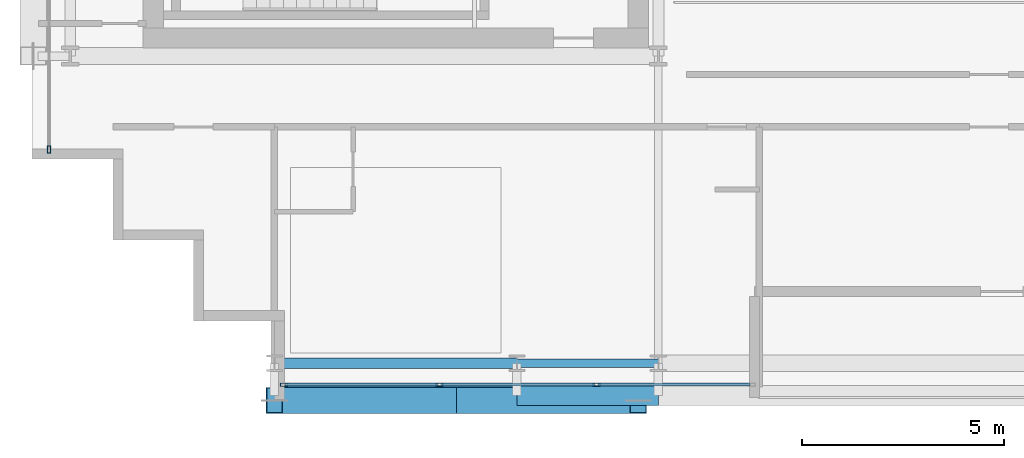
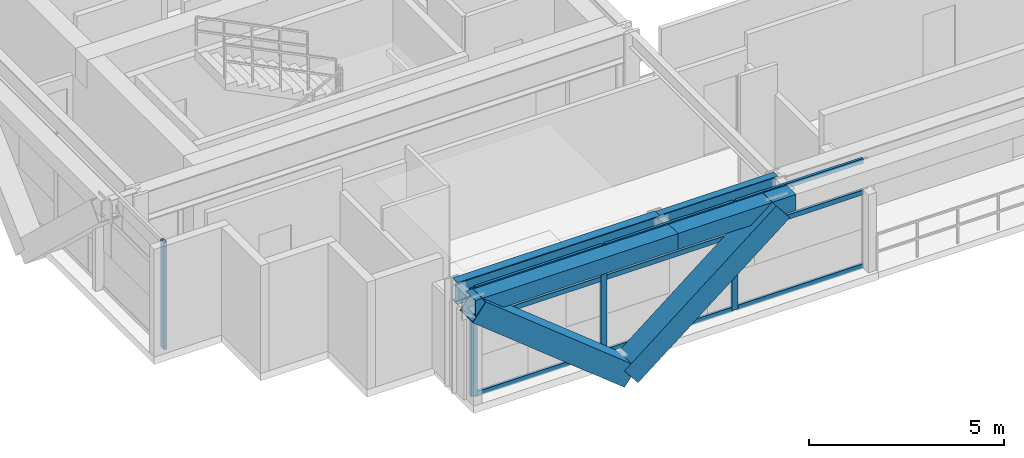
# One storey, part 2 of 31: 15 members, 4 beams, 2 elements without a shape of their own.
"""IFC4 building model written with IfcOpenShell, lengths in metres."""

from ifc_helpers import new_model, si_unit, direction, frame, origin, origin_2d, place, context, subcontext, project, spatial, hollow_rectangle, i_section, extrude, source, transform, mapped, material, layer, layer_set, material_profile, profile_set, type_object, element, aggregate, save


model = new_model("IFC4")

# Units and contexts
model_context = context("Model", 3, precision=1e-05, world=origin(), true_north=direction((0.0, 1.0)))
body_context = subcontext(model_context, "Body", "Model", "MODEL_VIEW")
ifc_project = project(units=[si_unit("LENGTHUNIT", "METRE"), si_unit("AREAUNIT", "SQUARE_METRE"), si_unit("VOLUMEUNIT", "CUBIC_METRE"), si_unit("PLANEANGLEUNIT", "RADIAN"), si_unit("MASSUNIT", "GRAM", prefix="KILO")], contexts=[model_context])

# Site, building, storey
site_placement = place(None, origin())
site = spatial("IfcSite", under=ifc_project, at=site_placement, CompositionType="ELEMENT")
building_placement = place(site_placement, origin())
building = spatial("IfcBuilding", under=site, at=building_placement, Name="Ocotamira Hotel", CompositionType="ELEMENT")
storey_placement = place(building_placement, frame((0.0, 0.0, 199.199951171875)))
storey = spatial("IfcBuildingStorey", under=building, at=storey_placement, Name="L50", CompositionType="ELEMENT", Elevation=199.199951171875)

# Beams
ifc_material_1 = material(Name="Steel ASTM A992 Grade 50", Category="steel")
ifc_material_profile_1 = material_profile(ifc_material_1, i_section(OverallWidth=0.256103515625, OverallDepth=0.693115234375, WebThickness=0.014404296875, FlangeThickness=0.023681640625, FilletRadius=0.01611328125, at=origin_2d()), Name="W27X114")
ifc_profile_set_1 = profile_set([ifc_material_profile_1], Name="Steel ASTM A992 Grade 50")
beam_type_1 = type_object("IfcBeamType", Name="BM-PRIM-W27X114", PredefinedType="BEAM", material=ifc_profile_set_1)
shared_shape_1 = source(origin(), body_context, "Body", "SweptSolid", [
    extrude(i_section(OverallWidth=0.256103515625, OverallDepth=0.693115234375, WebThickness=0.014404296875, FlangeThickness=0.023681640625, FilletRadius=0.01611328125, at=origin_2d()), origin(), (0.0, 0.0, 1.0), 6.0),
])
beam_1_placement = place(storey_placement, frame((14.0, 6.949951171875, 3.0234375), z_axis=(1.0, 0.0, 0.0), x_axis=(0.0, 1.0, 0.0)))
element("IfcBeam", 1, at=beam_1_placement, inside=storey, type_object=beam_type_1, Name="L50 Girder Y6.95 X14-20", PredefinedType="BEAM", context=body_context, shape_type="MappedRepresentation", body=[
    mapped(shared_shape_1, transform((0.0, 0.0, 0.0), scale=1.0)),
])
ifc_material_profile_2 = material_profile(ifc_material_1, i_section(OverallWidth=0.2099609375, OverallDepth=0.537109375, WebThickness=0.010986328125, FlangeThickness=0.017333984375, FilletRadius=0.012939453125, at=origin_2d()), Name="W21X68")
ifc_profile_set_2 = profile_set([ifc_material_profile_2], Name="Steel ASTM A992 Grade 50")
beam_type_2 = type_object("IfcBeamType", Name="BM-SEC-W21X68", PredefinedType="JOIST", material=ifc_profile_set_2)
shared_shape_2 = source(origin(), body_context, "Body", "SweptSolid", [
    extrude(i_section(OverallWidth=0.2099609375, OverallDepth=0.537109375, WebThickness=0.010986328125, FlangeThickness=0.017333984375, FilletRadius=0.012939453125, at=origin_2d()), origin(), (0.0, 0.0, 1.0), 3.5),
])
beam_2_placement = place(storey_placement, frame((20.0, 6.949951171875, 3.1015625), z_axis=(1.0, 0.0, 0.0), x_axis=(0.0, 1.0, 0.0)))
element("IfcBeam", 2, at=beam_2_placement, inside=storey, type_object=beam_type_2, Name="L50 Girder Y6.95 X20-23.5", PredefinedType="JOIST", context=body_context, shape_type="MappedRepresentation", body=[
    mapped(shared_shape_2, transform((0.0, 0.0, 0.0), scale=1.0)),
])
ifc_material_2 = material(Name="Steel ASTM A500 Grade C", Category="steel")
ifc_material_profile_3 = material_profile(ifc_material_2, hollow_rectangle(XDim=0.5, YDim=0.5, WallThickness=0.02001953125, at=origin_2d()), Name="HSS500X500X20")
ifc_profile_set_3 = profile_set([ifc_material_profile_3], Name="Steel ASTM A500 Grade C")
beam_type_3 = type_object("IfcBeamType", Name="BM-SPAN-HSS500", PredefinedType="USERDEFINED", material=ifc_profile_set_3)
shared_shape_3 = source(origin(), body_context, "Body", "SweptSolid", [
    extrude(hollow_rectangle(XDim=0.5, YDim=0.5, WallThickness=0.02001953125, at=origin_2d()), origin(), (0.0, 0.0, 1.0), 6.0),
])
beam_3_placement = place(storey_placement, frame((14.0, 6.14990234375, 3.1201171875), z_axis=(1.0, 0.0, 0.0), x_axis=(0.0, 1.0, 0.0)))
element("IfcBeam", 3, at=beam_3_placement, inside=storey, type_object=beam_type_3, Name="L50 Edge Spandrel S X14-20", ObjectType="SPANDREL", PredefinedType="USERDEFINED", context=body_context, shape_type="MappedRepresentation", body=[
    mapped(shared_shape_3, transform((0.0, 0.0, 0.0), scale=1.0)),
])
shared_shape_4 = source(origin(), body_context, "Body", "SweptSolid", [
    extrude(hollow_rectangle(XDim=0.5, YDim=0.5, WallThickness=0.02001953125, at=origin_2d()), origin(), (0.0, 0.0, 1.0), 3.5),
])
beam_4_placement = place(storey_placement, frame((20.0, 6.14990234375, 3.1201171875), z_axis=(1.0, 0.0, 0.0), x_axis=(0.0, 1.0, 0.0)))
element("IfcBeam", 4, at=beam_4_placement, inside=storey, type_object=beam_type_3, Name="L50 Edge Spandrel S X20-23.5", ObjectType="SPANDREL", PredefinedType="USERDEFINED", context=body_context, shape_type="MappedRepresentation", body=[
    mapped(shared_shape_4, transform((0.0, 0.0, 0.0), scale=1.0)),
])

# Members
ifc_material_3 = material(Name="Pale-metal coated steel ASTM A913 Grade 65", Category="steel")
ifc_material_profile_4 = material_profile(ifc_material_3, hollow_rectangle(XDim=0.64990234375, YDim=0.64990234375, WallThickness=0.02197265625, at=origin_2d()), Name="BOX650X650X22")
ifc_profile_set_4 = profile_set([ifc_material_profile_4], Name="Pale-metal coated steel ASTM A913 Grade 65")
member_type_1 = type_object("IfcMemberType", Name="MEM-EXO-BOX650", PredefinedType="BRACE", material=ifc_profile_set_4)
shared_shape_5 = source(origin(), body_context, "Body", "SweptSolid", [
    extrude(hollow_rectangle(XDim=0.64990234375, YDim=0.64990234375, WallThickness=0.02197265625, at=origin_2d()), origin(), (0.0, 0.0, 1.0), 5.762939453125),
])
for number, where, z_axis, x_axis, name in (
    (5, (18.5, 6.030029296875, -0.47998046875), (-0.780860543151, 0.0, 0.624705380279), (0.0, -1.0, 0.0), "L50 Exoskeleton Diagrid S0.1"),
    (6, (18.5, 6.030029296875, -0.47998046875), (0.780860543151, 0.0, 0.624705380279), (0.0, 1.0, 0.0), "L50 Exoskeleton Diagrid S0.2"),
):
    element("IfcMember", number, at=place(storey_placement, frame(where, z_axis=z_axis, x_axis=x_axis)), inside=storey, type_object=member_type_1, Name=name, PredefinedType="BRACE", context=body_context, shape_type="MappedRepresentation", body=[
        mapped(shared_shape_5, transform((0.0, 0.0, 0.0), scale=1.0)),
    ])

# Curtain wall, members
ifc_material_4 = material(Name="Anodised pale-metal aluminium and solar glass", Category="aluminium")
ifc_layer = layer(ifc_material_4, 0.199951171875)
ifc_layer_set = layer_set([ifc_layer], Name="Anodised pale-metal aluminium and solar glass")
curtain_wall_type = type_object("IfcCurtainWallType", Name="CW-SYS4-Z3", PredefinedType="NOTDEFINED", material=ifc_layer_set)
curtain_wall_1_placement = place(storey_placement, origin())
curtain_wall_1 = element("IfcCurtainWall", 7, at=curtain_wall_1_placement, inside=storey, type_object=curtain_wall_type, Name="L50 Curtain Wall CW-4 CW-L50-S1", PredefinedType="NOTDEFINED")
ifc_material_5 = material(Name="Anodised pale-metal aluminium 6063-T6", Category="aluminium")
ifc_material_profile_5 = material_profile(ifc_material_5, hollow_rectangle(XDim=0.080078125, YDim=0.179931640625, WallThickness=0.006103515625, at=origin_2d()), Name="HSS180X80X6")
ifc_profile_set_5 = profile_set([ifc_material_profile_5], Name="Anodised pale-metal aluminium 6063-T6")
member_type_2 = type_object("IfcMemberType", Name="CWM-180X75", PredefinedType="MULLION", material=ifc_profile_set_5)
shared_shape_6 = source(origin(), body_context, "Body", "SweptSolid", [
    extrude(hollow_rectangle(XDim=0.080078125, YDim=0.179931640625, WallThickness=0.006103515625, at=origin_2d()), origin(), (0.0, 0.0, 1.0), 3.3701171875),
])
member_1_placement = place(storey_placement, frame((14.239990234375, 6.419921875, 0.0), z_axis=(0.0, 0.0, 1.0), x_axis=(0.0, 1.0, 0.0)))
member_1 = element("IfcMember", 8, at=member_1_placement, type_object=member_type_2, Name="CW-4 mullion 1", PredefinedType="MULLION", context=body_context, shape_type="MappedRepresentation", body=[
    mapped(shared_shape_6, transform((0.0, 0.0, 0.0), scale=1.0)),
])
member_2_placement = place(storey_placement, frame((18.083251953125, 6.419921875, 0.0), z_axis=(0.0, 0.0, 1.0), x_axis=(0.0, 1.0, 0.0)))
member_2 = element("IfcMember", 9, at=member_2_placement, type_object=member_type_2, Name="CW-4 mullion 2", PredefinedType="MULLION", context=body_context, shape_type="MappedRepresentation", body=[
    mapped(shared_shape_6, transform((0.0, 0.0, 0.0), scale=1.0)),
])
member_3_placement = place(storey_placement, frame((21.966552734375, 6.419921875, 0.0), z_axis=(0.0, 0.0, 1.0), x_axis=(0.0, 1.0, 0.0)))
member_3 = element("IfcMember", 10, at=member_3_placement, type_object=member_type_2, Name="CW-4 mullion 3", PredefinedType="MULLION", context=body_context, shape_type="MappedRepresentation", body=[
    mapped(shared_shape_6, transform((0.0, 0.0, 0.0), scale=1.0)),
])

# Curtain wall, member
curtain_wall_2_placement = place(storey_placement, origin())
curtain_wall_2 = element("IfcCurtainWall", 11, at=curtain_wall_2_placement, inside=storey, type_object=curtain_wall_type, Name="L50 Curtain Wall CW-4 CW-L50-W", PredefinedType="NOTDEFINED")
member_4_placement = place(storey_placement, frame((8.419921875, 12.239990234375, 0.0), z_axis=(0.0, 0.0, 1.0), x_axis=(-1.0, 0.0, 0.0)))
member_4 = element("IfcMember", 12, at=member_4_placement, type_object=member_type_2, Name="CW-4 mullion 1", PredefinedType="MULLION", context=body_context, shape_type="MappedRepresentation", body=[
    mapped(shared_shape_6, transform((0.0, 0.0, 0.0), scale=1.0)),
])
aggregate(curtain_wall_2, [member_4])

# Member
ifc_material_profile_6 = material_profile(ifc_material_5, hollow_rectangle(XDim=0.074951171875, YDim=0.14990234375, WallThickness=0.006103515625, at=origin_2d()), Name="HSS150X75X6")
ifc_profile_set_6 = profile_set([ifc_material_profile_6], Name="Anodised pale-metal aluminium 6063-T6")
member_type_3 = type_object("IfcMemberType", Name="CWT-150X75", PredefinedType="USERDEFINED", material=ifc_profile_set_6)
shared_shape_7 = source(origin(), body_context, "Body", "SweptSolid", [
    extrude(hollow_rectangle(XDim=0.074951171875, YDim=0.14990234375, WallThickness=0.006103515625, at=origin_2d()), origin(), (0.0, 0.0, 1.0), 3.76318359375),
])
member_5_placement = place(storey_placement, frame((14.280029296875, 6.419921875, 0.03759765625), z_axis=(1.0, 0.0, 0.0), x_axis=(0.0, 1.0, 0.0)))
member_5 = element("IfcMember", 13, at=member_5_placement, type_object=member_type_3, Name="CW-4 transom 1.1", ObjectType="TRANSOM", PredefinedType="USERDEFINED", context=body_context, shape_type="MappedRepresentation", body=[
    mapped(shared_shape_7, transform((0.0, 0.0, 0.0), scale=1.0)),
])

member_6_placement = place(storey_placement, frame((14.280029296875, 6.419921875, 2.35009765625), z_axis=(1.0, 0.0, 0.0), x_axis=(0.0, 1.0, 0.0)))
member_6 = element("IfcMember", 14, at=member_6_placement, type_object=member_type_3, Name="CW-4 transom 1.2", ObjectType="TRANSOM", PredefinedType="USERDEFINED", context=body_context, shape_type="MappedRepresentation", body=[
    mapped(shared_shape_7, transform((0.0, 0.0, 0.0), scale=1.0)),
])

member_7_placement = place(storey_placement, frame((14.280029296875, 6.419921875, 3.33251953125), z_axis=(1.0, 0.0, 0.0), x_axis=(0.0, 1.0, 0.0)))
member_7 = element("IfcMember", 15, at=member_7_placement, type_object=member_type_3, Name="CW-4 transom 1.3", ObjectType="TRANSOM", PredefinedType="USERDEFINED", context=body_context, shape_type="MappedRepresentation", body=[
    mapped(shared_shape_7, transform((0.0, 0.0, 0.0), scale=1.0)),
])

shared_shape_8 = source(origin(), body_context, "Body", "SweptSolid", [
    extrude(hollow_rectangle(XDim=0.074951171875, YDim=0.14990234375, WallThickness=0.006103515625, at=origin_2d()), origin(), (0.0, 0.0, 1.0), 3.803466796875),
])
member_8_placement = place(storey_placement, frame((18.123291015625, 6.419921875, 0.03759765625), z_axis=(1.0, 0.0, 0.0), x_axis=(0.0, 1.0, 0.0)))
member_8 = element("IfcMember", 16, at=member_8_placement, type_object=member_type_3, Name="CW-4 transom 2.1", ObjectType="TRANSOM", PredefinedType="USERDEFINED", context=body_context, shape_type="MappedRepresentation", body=[
    mapped(shared_shape_8, transform((0.0, 0.0, 0.0), scale=1.0)),
])

member_9_placement = place(storey_placement, frame((18.123291015625, 6.419921875, 2.35009765625), z_axis=(1.0, 0.0, 0.0), x_axis=(0.0, 1.0, 0.0)))
member_9 = element("IfcMember", 17, at=member_9_placement, type_object=member_type_3, Name="CW-4 transom 2.2", ObjectType="TRANSOM", PredefinedType="USERDEFINED", context=body_context, shape_type="MappedRepresentation", body=[
    mapped(shared_shape_8, transform((0.0, 0.0, 0.0), scale=1.0)),
])

member_10_placement = place(storey_placement, frame((18.123291015625, 6.419921875, 3.33251953125), z_axis=(1.0, 0.0, 0.0), x_axis=(0.0, 1.0, 0.0)))
member_10 = element("IfcMember", 18, at=member_10_placement, type_object=member_type_3, Name="CW-4 transom 2.3", ObjectType="TRANSOM", PredefinedType="USERDEFINED", context=body_context, shape_type="MappedRepresentation", body=[
    mapped(shared_shape_8, transform((0.0, 0.0, 0.0), scale=1.0)),
])

shared_shape_9 = source(origin(), body_context, "Body", "SweptSolid", [
    extrude(hollow_rectangle(XDim=0.074951171875, YDim=0.14990234375, WallThickness=0.006103515625, at=origin_2d()), origin(), (0.0, 0.0, 1.0), 3.763427734375),
])
member_11_placement = place(storey_placement, frame((22.006591796875, 6.419921875, 0.03759765625), z_axis=(1.0, 0.0, 0.0), x_axis=(0.0, 1.0, 0.0)))
member_11 = element("IfcMember", 19, at=member_11_placement, type_object=member_type_3, Name="CW-4 transom 3.1", ObjectType="TRANSOM", PredefinedType="USERDEFINED", context=body_context, shape_type="MappedRepresentation", body=[
    mapped(shared_shape_9, transform((0.0, 0.0, 0.0), scale=1.0)),
])

member_12_placement = place(storey_placement, frame((22.006591796875, 6.419921875, 2.35009765625), z_axis=(1.0, 0.0, 0.0), x_axis=(0.0, 1.0, 0.0)))
member_12 = element("IfcMember", 20, at=member_12_placement, type_object=member_type_3, Name="CW-4 transom 3.2", ObjectType="TRANSOM", PredefinedType="USERDEFINED", context=body_context, shape_type="MappedRepresentation", body=[
    mapped(shared_shape_9, transform((0.0, 0.0, 0.0), scale=1.0)),
])

member_13_placement = place(storey_placement, frame((22.006591796875, 6.419921875, 3.33251953125), z_axis=(1.0, 0.0, 0.0), x_axis=(0.0, 1.0, 0.0)))
member_13 = element("IfcMember", 21, at=member_13_placement, type_object=member_type_3, Name="CW-4 transom 3.3", ObjectType="TRANSOM", PredefinedType="USERDEFINED", context=body_context, shape_type="MappedRepresentation", body=[
    mapped(shared_shape_9, transform((0.0, 0.0, 0.0), scale=1.0)),
])

aggregate(curtain_wall_1, [member_1, member_2, member_3, member_5, member_6, member_7, member_8, member_9, member_10, member_11, member_12, member_13])

save(model, "model.ifc")
